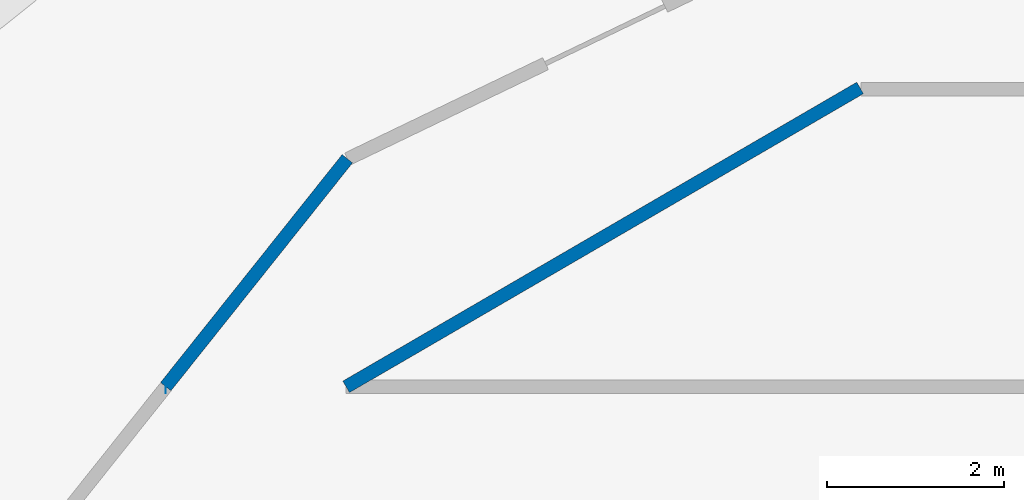
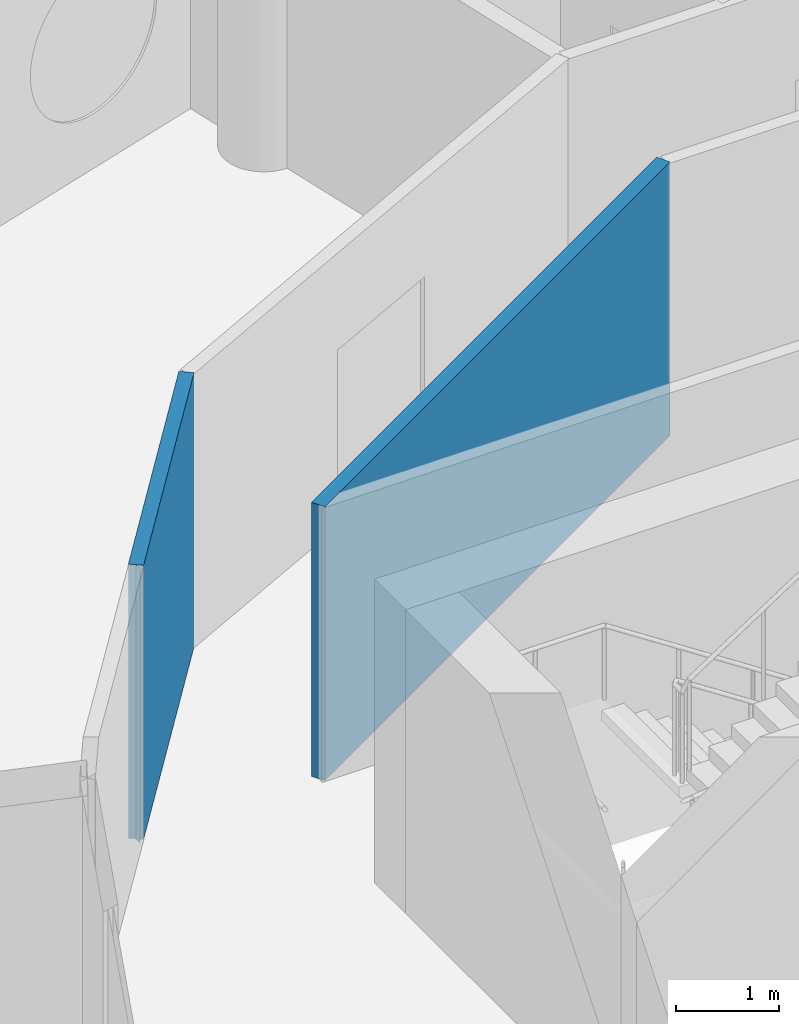
# One storey, part 7 of 13: 3 walls.
"""IFC4 building model written with IfcOpenShell, lengths in metres."""

from ifc_helpers import new_model, si_unit, direction, frame, frame_2d, origin, place, context, subcontext, project, spatial, rectangle, extrude, material, layer, layer_set, type_object, element, save


model = new_model("IFC4")

# Units and contexts
model_context = context("Model", 3, precision=1e-05, world=origin(), true_north=direction((0.0, 1.0)))
body_context = subcontext(model_context, "Body", "Model", "MODEL_VIEW")
ifc_project = project(units=[si_unit("LENGTHUNIT", "METRE"), si_unit("AREAUNIT", "SQUARE_METRE"), si_unit("VOLUMEUNIT", "CUBIC_METRE"), si_unit("PLANEANGLEUNIT", "RADIAN"), si_unit("MASSUNIT", "GRAM", prefix="KILO")], contexts=[model_context])

# Site, building, storey
site_placement = place(None, origin())
site = spatial("IfcSite", under=ifc_project, at=site_placement, CompositionType="ELEMENT")
building_placement = place(site_placement, origin())
building = spatial("IfcBuilding", under=site, at=building_placement, Name="Tracery Tower", CompositionType="ELEMENT")
storey_placement = place(building_placement, frame((0.0, 0.0, 294.60009765625)))
storey = spatial("IfcBuildingStorey", under=building, at=storey_placement, Name="L76", CompositionType="ELEMENT", Elevation=294.60009765625)

# Walls
ifc_material = material(Name="Plasterboard on steel studs", Category="steel")
ifc_layer = layer(ifc_material, 0.14990234375)
ifc_layer_set = layer_set([ifc_layer], Name="Partition 150 corridor wall")
wall_type = type_object("IfcWallType", Name="Partition 150 corridor wall", PredefinedType="PARTITIONING", material=ifc_layer_set)
wall_1_placement = place(storey_placement, frame((-9.092041015625, 8.800048828125, 0.0), z_axis=(0.0, 0.0, 1.0), x_axis=(0.864470922103, 0.502682827277, 0.0)))
element("IfcWall", 1, at=wall_1_placement, inside=storey, type_object=wall_type, Name="Corridor wall RC7-001", PredefinedType="PARTITIONING", context=body_context, shape_type="SweptSolid", body=[
    extrude(rectangle(XDim=6.7353515625, YDim=0.14990234375, at=frame_2d((3.36767578125, 0.0))), origin(), (0.0, 0.0, 1.0), 3.25),
])
wall_2_placement = place(storey_placement, frame((-11.134033203125, 8.800048828125, 0.0), z_axis=(0.0, 0.0, 1.0), x_axis=(-1.0, 0.0, 0.0)))
element("IfcWall", 2, at=wall_2_placement, inside=storey, type_object=wall_type, Name="Corridor wall RC7-008", PredefinedType="PARTITIONING", context=body_context, shape_type="SweptSolid", body=[
    extrude(rectangle(XDim=0.0029296875, YDim=0.14990234375, at=frame_2d((0.00146484375, 0.0))), origin(), (0.0, 0.0, 1.0), 3.25),
])
wall_3_placement = place(storey_placement, frame((-11.135986328125, 8.802001953125, 0.0), z_axis=(0.0, 0.0, 1.0), x_axis=(0.623151397235, 0.782101231379, 0.0)))
element("IfcWall", 3, at=wall_3_placement, inside=storey, type_object=wall_type, Name="Corridor wall RC7-009", PredefinedType="PARTITIONING", context=body_context, shape_type="SweptSolid", body=[
    extrude(rectangle(XDim=3.30078125, YDim=0.14990234375, at=frame_2d((1.650390625, 0.0))), origin(), (0.0, 0.0, 1.0), 3.25),
])

save(model, "model.ifc")
